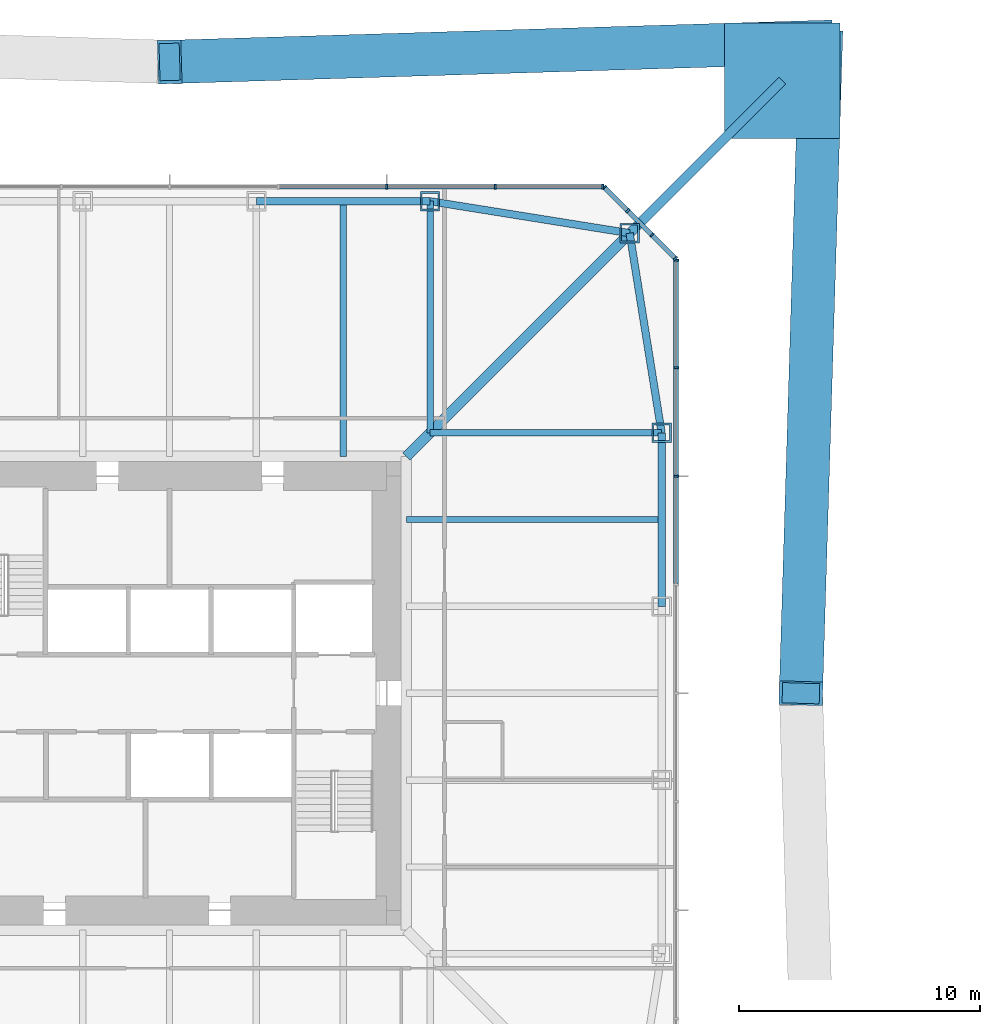
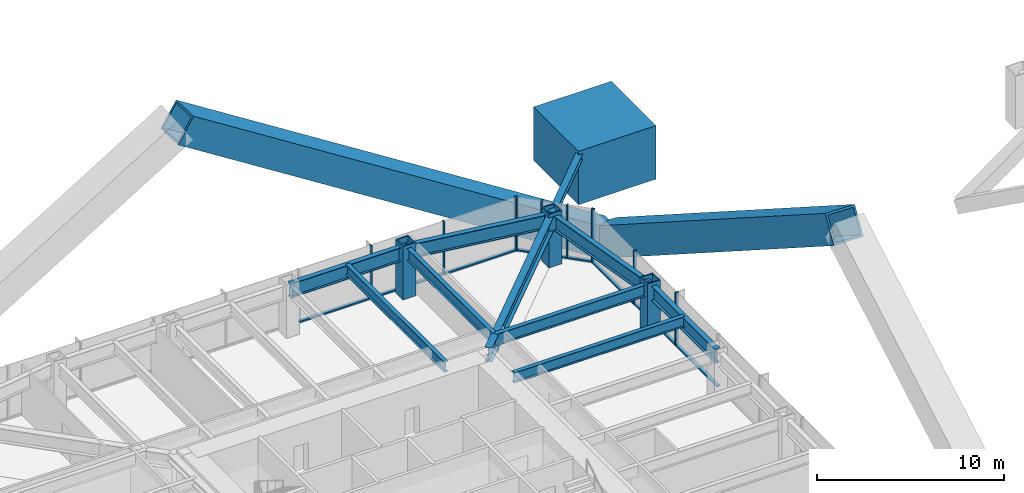
# One storey, part 6 of 21: 26 members, 9 beams, 3 elements without a shape of their own.
"""IFC4 building model written with IfcOpenShell, lengths in metres."""

from ifc_helpers import new_model, si_unit, direction, frame, origin, origin_2d, place, context, subcontext, project, spatial, rectangle, hollow_rectangle, i_section, extrude, material, material_profile, profile_set, type_object, element, aggregate, save


model = new_model("IFC4")

# Units and contexts
model_context = context("Model", 3, precision=1e-05, world=origin(), true_north=direction((0.0, 1.0)))
body_context = subcontext(model_context, "Body", "Model", "MODEL_VIEW")
ifc_project = project(units=[si_unit("LENGTHUNIT", "METRE"), si_unit("AREAUNIT", "SQUARE_METRE"), si_unit("VOLUMEUNIT", "CUBIC_METRE"), si_unit("PLANEANGLEUNIT", "RADIAN"), si_unit("MASSUNIT", "GRAM", prefix="KILO")], contexts=[model_context])

# Site, building, storey
site_placement = place(None, origin())
site = spatial("IfcSite", under=ifc_project, at=site_placement, CompositionType="ELEMENT")
building_placement = place(site_placement, origin())
building = spatial("IfcBuilding", under=site, at=building_placement, Name="Iwan Alto Co-Living Towers", CompositionType="ELEMENT")
storey_placement = place(building_placement, frame((0.0, 0.0, 80.5)))
storey = spatial("IfcBuildingStorey", under=building, at=storey_placement, Name="L21", CompositionType="ELEMENT", Elevation=80.5)

# Curtain wall, members
ifc_material_1 = material(Name="Bronze aluminium unitised frame", Category="aluminium")
curtain_wall_type_1 = type_object("IfcCurtainWallType", Name="CURTAIN WALL CW-A", PredefinedType="NOTDEFINED", material=ifc_material_1)
curtain_wall_1_placement = place(storey_placement, origin())
curtain_wall_1 = element("IfcCurtainWall", 1, at=curtain_wall_1_placement, inside=storey, type_object=curtain_wall_type_1, Name="T1 curtain wall E L21", PredefinedType="NOTDEFINED")
ifc_material_2 = material(Name="Aluminium 6063-T6 bronze anodised", Category="aluminium")
ifc_material_profile_1 = material_profile(ifc_material_2, rectangle(XDim=0.199951171875, YDim=0.080078125, at=origin_2d()), Name="AL 80X200")
ifc_profile_set_1 = profile_set([ifc_material_profile_1], Name="Aluminium 6063-T6 bronze anodised")
member_type_1 = type_object("IfcMemberType", Name="CW-A MULLION 80X200", PredefinedType="MULLION", material=ifc_profile_set_1)
member_1_placement = place(storey_placement, frame((21.0, 9.0, 0.0), z_axis=(0.0, 0.0, 1.0), x_axis=(-1.0, 0.0, 0.0)))
member_1 = element("IfcMember", 2, at=member_1_placement, type_object=member_type_1, Name="CW-A mullion 7", PredefinedType="MULLION", context=body_context, shape_type="SweptSolid", body=[
    extrude(rectangle(XDim=0.199951171875, YDim=0.080078125, at=origin_2d()), origin(), (0.0, 0.0, 1.0), 3.5),
])
member_2_placement = place(storey_placement, frame((21.0, 13.5, 0.0), z_axis=(0.0, 0.0, 1.0), x_axis=(-1.0, 0.0, 0.0)))
member_2 = element("IfcMember", 3, at=member_2_placement, type_object=member_type_1, Name="CW-A mullion 8", PredefinedType="MULLION", context=body_context, shape_type="SweptSolid", body=[
    extrude(rectangle(XDim=0.199951171875, YDim=0.080078125, at=origin_2d()), origin(), (0.0, 0.0, 1.0), 3.5),
])
member_3_placement = place(storey_placement, frame((21.0, 17.9599609375, 0.0), z_axis=(0.0, 0.0, 1.0), x_axis=(-1.0, 0.0, 0.0)))
member_3 = element("IfcMember", 4, at=member_3_placement, type_object=member_type_1, Name="CW-A mullion 9", PredefinedType="MULLION", context=body_context, shape_type="SweptSolid", body=[
    extrude(rectangle(XDim=0.199951171875, YDim=0.080078125, at=origin_2d()), origin(), (0.0, 0.0, 1.0), 3.5),
])

curtain_wall_2_placement = place(storey_placement, origin())
curtain_wall_2 = element("IfcCurtainWall", 5, at=curtain_wall_2_placement, inside=storey, type_object=curtain_wall_type_1, Name="T1 curtain wall N L21", PredefinedType="NOTDEFINED")
member_4_placement = place(storey_placement, frame((17.9599609375, 21.0, 0.0), z_axis=(0.0, 0.0, 1.0), x_axis=(0.0, -1.0, 0.0)))
member_4 = element("IfcMember", 6, at=member_4_placement, type_object=member_type_1, Name="CW-A mullion 1", PredefinedType="MULLION", context=body_context, shape_type="SweptSolid", body=[
    extrude(rectangle(XDim=0.199951171875, YDim=0.080078125, at=origin_2d()), origin(), (0.0, 0.0, 1.0), 3.5),
])
member_5_placement = place(storey_placement, frame((13.5, 21.0, 0.0), z_axis=(0.0, 0.0, 1.0), x_axis=(0.0, -1.0, 0.0)))
member_5 = element("IfcMember", 7, at=member_5_placement, type_object=member_type_1, Name="CW-A mullion 2", PredefinedType="MULLION", context=body_context, shape_type="SweptSolid", body=[
    extrude(rectangle(XDim=0.199951171875, YDim=0.080078125, at=origin_2d()), origin(), (0.0, 0.0, 1.0), 3.5),
])
member_6_placement = place(storey_placement, frame((9.0, 21.0, 0.0), z_axis=(0.0, 0.0, 1.0), x_axis=(0.0, -1.0, 0.0)))
member_6 = element("IfcMember", 8, at=member_6_placement, type_object=member_type_1, Name="CW-A mullion 3", PredefinedType="MULLION", context=body_context, shape_type="SweptSolid", body=[
    extrude(rectangle(XDim=0.199951171875, YDim=0.080078125, at=origin_2d()), origin(), (0.0, 0.0, 1.0), 3.5),
])

# Member
ifc_material_3 = material(Name="Aluminium 6063-T6 bronze anodised", Category="aluminium")
ifc_material_profile_2 = material_profile(ifc_material_3, rectangle(XDim=0.199951171875, YDim=0.10009765625, at=origin_2d()), Name="AL 200X100")
ifc_profile_set_2 = profile_set([ifc_material_profile_2], Name="Aluminium 6063-T6 bronze anodised")
member_type_2 = type_object("IfcMemberType", Name="CW-A TRANSOM 200X100", PredefinedType="USERDEFINED", material=ifc_profile_set_2)
member_7_placement = place(storey_placement, frame((21.0, 4.5400390625, 0.050048828125), z_axis=(0.0, 1.0, 0.0), x_axis=(-1.0, 0.0, 0.0)))
member_7 = element("IfcMember", 9, at=member_7_placement, type_object=member_type_2, Name="CW-A transom 6.1", ObjectType="TRANSOM", PredefinedType="USERDEFINED", context=body_context, shape_type="SweptSolid", body=[
    extrude(rectangle(XDim=0.199951171875, YDim=0.10009765625, at=origin_2d()), origin(), (0.0, 0.0, 1.0), 4.419921875),
])

member_8_placement = place(storey_placement, frame((21.0, 9.0400390625, 0.050048828125), z_axis=(0.0, 1.0, 0.0), x_axis=(-1.0, 0.0, 0.0)))
member_8 = element("IfcMember", 10, at=member_8_placement, type_object=member_type_2, Name="CW-A transom 7.1", ObjectType="TRANSOM", PredefinedType="USERDEFINED", context=body_context, shape_type="SweptSolid", body=[
    extrude(rectangle(XDim=0.199951171875, YDim=0.10009765625, at=origin_2d()), origin(), (0.0, 0.0, 1.0), 4.419921875),
])

member_9_placement = place(storey_placement, frame((21.0, 13.5400390625, 0.050048828125), z_axis=(0.0, 1.0, 0.0), x_axis=(-1.0, 0.0, 0.0)))
member_9 = element("IfcMember", 11, at=member_9_placement, type_object=member_type_2, Name="CW-A transom 8.1", ObjectType="TRANSOM", PredefinedType="USERDEFINED", context=body_context, shape_type="SweptSolid", body=[
    extrude(rectangle(XDim=0.199951171875, YDim=0.10009765625, at=origin_2d()), origin(), (0.0, 0.0, 1.0), 4.3798828125),
])

aggregate(curtain_wall_1, [member_1, member_2, member_3, member_7, member_8, member_9])

member_10_placement = place(storey_placement, frame((17.919921875, 21.0, 0.050048828125), z_axis=(-1.0, 0.0, 0.0), x_axis=(0.0, -1.0, 0.0)))
member_10 = element("IfcMember", 12, at=member_10_placement, type_object=member_type_2, Name="CW-A transom 1.1", ObjectType="TRANSOM", PredefinedType="USERDEFINED", context=body_context, shape_type="SweptSolid", body=[
    extrude(rectangle(XDim=0.199951171875, YDim=0.10009765625, at=origin_2d()), origin(), (0.0, 0.0, 1.0), 4.3798828125),
])

member_11_placement = place(storey_placement, frame((13.4599609375, 21.0, 0.050048828125), z_axis=(-1.0, 0.0, 0.0), x_axis=(0.0, -1.0, 0.0)))
member_11 = element("IfcMember", 13, at=member_11_placement, type_object=member_type_2, Name="CW-A transom 2.1", ObjectType="TRANSOM", PredefinedType="USERDEFINED", context=body_context, shape_type="SweptSolid", body=[
    extrude(rectangle(XDim=0.199951171875, YDim=0.10009765625, at=origin_2d()), origin(), (0.0, 0.0, 1.0), 4.419921875),
])

member_12_placement = place(storey_placement, frame((8.9599609375, 21.0, 0.050048828125), z_axis=(-1.0, 0.0, 0.0), x_axis=(0.0, -1.0, 0.0)))
member_12 = element("IfcMember", 14, at=member_12_placement, type_object=member_type_2, Name="CW-A transom 3.1", ObjectType="TRANSOM", PredefinedType="USERDEFINED", context=body_context, shape_type="SweptSolid", body=[
    extrude(rectangle(XDim=0.199951171875, YDim=0.10009765625, at=origin_2d()), origin(), (0.0, 0.0, 1.0), 4.419921875),
])

aggregate(curtain_wall_2, [member_4, member_5, member_6, member_10, member_11, member_12])

# Curtain wall, members
ifc_material_4 = material(Name="Bronze aluminium unitised frame", Category="aluminium")
curtain_wall_type_2 = type_object("IfcCurtainWallType", Name="CURTAIN WALL CW-B", PredefinedType="NOTDEFINED", material=ifc_material_4)
curtain_wall_3_placement = place(storey_placement, origin())
curtain_wall_3 = element("IfcCurtainWall", 15, at=curtain_wall_3_placement, inside=storey, type_object=curtain_wall_type_2, Name="T1 chamfer curtain wall NE L21", PredefinedType="NOTDEFINED")
ifc_material_5 = material(Name="Aluminium 6063-T6 bronze anodised", Category="aluminium")
ifc_material_profile_3 = material_profile(ifc_material_5, rectangle(XDim=0.199951171875, YDim=0.080078125, at=origin_2d()), Name="AL 80X200")
ifc_profile_set_3 = profile_set([ifc_material_profile_3], Name="Aluminium 6063-T6 bronze anodised")
member_type_3 = type_object("IfcMemberType", Name="CW-B MULLION 80X200", PredefinedType="MULLION", material=ifc_profile_set_3)
member_13_placement = place(storey_placement, frame((20.9716796875, 18.0283203125, 0.0), z_axis=(0.0, 0.0, 1.0), x_axis=(-0.707106781187, -0.707106781187, 0.0)))
member_13 = element("IfcMember", 16, at=member_13_placement, type_object=member_type_3, Name="CW-B mullion 1", PredefinedType="MULLION", context=body_context, shape_type="SweptSolid", body=[
    extrude(rectangle(XDim=0.199951171875, YDim=0.080078125, at=origin_2d()), origin(), (0.0, 0.0, 1.0), 3.5),
])
member_14_placement = place(storey_placement, frame((20.0, 19.0, 0.0), z_axis=(0.0, 0.0, 1.0), x_axis=(-0.707106781187, -0.707106781187, 0.0)))
member_14 = element("IfcMember", 17, at=member_14_placement, type_object=member_type_3, Name="CW-B mullion 2", PredefinedType="MULLION", context=body_context, shape_type="SweptSolid", body=[
    extrude(rectangle(XDim=0.199951171875, YDim=0.080078125, at=origin_2d()), origin(), (0.0, 0.0, 1.0), 3.5),
])
member_15_placement = place(storey_placement, frame((19.0, 20.0, 0.0), z_axis=(0.0, 0.0, 1.0), x_axis=(-0.707106781187, -0.707106781187, 0.0)))
member_15 = element("IfcMember", 18, at=member_15_placement, type_object=member_type_3, Name="CW-B mullion 3", PredefinedType="MULLION", context=body_context, shape_type="SweptSolid", body=[
    extrude(rectangle(XDim=0.199951171875, YDim=0.080078125, at=origin_2d()), origin(), (0.0, 0.0, 1.0), 3.5),
])
member_16_placement = place(storey_placement, frame((18.0283203125, 20.9716796875, 0.0), z_axis=(0.0, 0.0, 1.0), x_axis=(-0.707106781187, -0.707106781187, 0.0)))
member_16 = element("IfcMember", 19, at=member_16_placement, type_object=member_type_3, Name="CW-B mullion 4", PredefinedType="MULLION", context=body_context, shape_type="SweptSolid", body=[
    extrude(rectangle(XDim=0.199951171875, YDim=0.080078125, at=origin_2d()), origin(), (0.0, 0.0, 1.0), 3.5),
])
ifc_material_6 = material(Name="Aluminium 6063-T6 bronze anodised", Category="aluminium")
ifc_material_profile_4 = material_profile(ifc_material_6, rectangle(XDim=0.199951171875, YDim=0.10009765625, at=origin_2d()), Name="AL 200X100")
ifc_profile_set_4 = profile_set([ifc_material_profile_4], Name="Aluminium 6063-T6 bronze anodised")
member_type_4 = type_object("IfcMemberType", Name="CW-B TRANSOM 200X100", PredefinedType="USERDEFINED", material=ifc_profile_set_4)
member_17_placement = place(storey_placement, frame((20.943359375, 18.056640625, 0.050048828125), z_axis=(-0.707106781187, 0.707106781187, 0.0), x_axis=(-0.707106781187, -0.707106781187, 0.0)))
member_17 = element("IfcMember", 20, at=member_17_placement, type_object=member_type_4, Name="CW-B transom 1.1", ObjectType="TRANSOM", PredefinedType="USERDEFINED", context=body_context, shape_type="SweptSolid", body=[
    extrude(rectangle(XDim=0.199951171875, YDim=0.10009765625, at=origin_2d()), origin(), (0.0, 0.0, 1.0), 1.2939453125),
])
member_18_placement = place(storey_placement, frame((19.9716796875, 19.0283203125, 0.050048828125), z_axis=(-0.707106781187, 0.707106781187, 0.0), x_axis=(-0.707106781187, -0.707106781187, 0.0)))
member_18 = element("IfcMember", 21, at=member_18_placement, type_object=member_type_4, Name="CW-B transom 2.1", ObjectType="TRANSOM", PredefinedType="USERDEFINED", context=body_context, shape_type="SweptSolid", body=[
    extrude(rectangle(XDim=0.199951171875, YDim=0.10009765625, at=origin_2d()), origin(), (0.0, 0.0, 1.0), 1.334228515625),
])
member_19_placement = place(storey_placement, frame((18.9716796875, 20.0283203125, 0.050048828125), z_axis=(-0.707106781187, 0.707106781187, 0.0), x_axis=(-0.707106781187, -0.707106781187, 0.0)))
member_19 = element("IfcMember", 22, at=member_19_placement, type_object=member_type_4, Name="CW-B transom 3.1", ObjectType="TRANSOM", PredefinedType="USERDEFINED", context=body_context, shape_type="SweptSolid", body=[
    extrude(rectangle(XDim=0.199951171875, YDim=0.10009765625, at=origin_2d()), origin(), (0.0, 0.0, 1.0), 1.2939453125),
])
aggregate(curtain_wall_3, [member_13, member_14, member_15, member_16, member_17, member_18, member_19])

# Beams
ifc_material_7 = material(Name="Steel ASTM A992 Gr 50", Category="steel")
ifc_material_profile_5 = material_profile(ifc_material_7, i_section(OverallWidth=0.419189453125, OverallDepth=0.927001953125, WebThickness=0.019287109375, FlangeThickness=0.031982421875, at=origin_2d()), Name="W36X231")
ifc_profile_set_5 = profile_set([ifc_material_profile_5], Name="Steel ASTM A992 Gr 50")
beam_type_1 = type_object("IfcBeamType", Name="T1 CORNER GIRDER W36X231", PredefinedType="BEAM", material=ifc_profile_set_5)
beam_1_placement = place(storey_placement, frame((19.07568359375, 19.07568359375, 2.806396484375), z_axis=(-0.707106781187, -0.707106781187, 0.0), x_axis=(0.707106781187, -0.707106781187, 0.0)))
element("IfcBeam", 23, at=beam_1_placement, inside=storey, type_object=beam_type_1, Name="T1 corner girder CNE L22", PredefinedType="BEAM", context=body_context, shape_type="SweptSolid", body=[
    extrude(i_section(OverallWidth=0.419189453125, OverallDepth=0.927001953125, WebThickness=0.019287109375, FlangeThickness=0.031982421875, at=origin_2d()), origin(), (0.0, 0.0, 1.0), 13.091796875),
])
ifc_material_8 = material(Name="Steel ASTM A992 Gr 50", Category="steel")
ifc_material_profile_6 = material_profile(ifc_material_8, i_section(OverallWidth=0.307373046875, OverallDepth=0.927001953125, WebThickness=0.01953125, FlangeThickness=0.031982421875, at=origin_2d()), Name="W36X194")
ifc_profile_set_6 = profile_set([ifc_material_profile_6], Name="Steel ASTM A992 Gr 50")
beam_type_2 = type_object("IfcBeamType", Name="T1 EDGE BEAM W36X194", PredefinedType="BEAM", material=ifc_profile_set_6)
beam_2_placement = place(storey_placement, frame((20.39990234375, 3.60009765625, 2.806396484375), z_axis=(0.0, 1.0, 0.0), x_axis=(-1.0, 0.0, 0.0)))
element("IfcBeam", 24, at=beam_2_placement, inside=storey, type_object=beam_type_2, Name="T1 edge beam E3 L22", PredefinedType="BEAM", context=body_context, shape_type="SweptSolid", body=[
    extrude(i_section(OverallWidth=0.307373046875, OverallDepth=0.927001953125, WebThickness=0.01953125, FlangeThickness=0.031982421875, at=origin_2d()), origin(), (0.0, 0.0, 1.0), 7.199951171875),
])
for number, where, z_axis, x_axis, name in (
    (25, (20.39990234375, 10.800048828125, 2.806396484375), (-0.158004134737, 0.987438450439, 0.0), (-0.987438450439, -0.158004134737, 0.0), "T1 edge beam E4 L22"),
    (26, (19.07568359375, 19.07568359375, 2.806396484375), (-0.987438450439, 0.158004134737, 0.0), (-0.158004134737, -0.987438450439, 0.0), "T1 edge beam CNE L22"),
):
    element("IfcBeam", number, at=place(storey_placement, frame(where, z_axis=z_axis, x_axis=x_axis)), inside=storey, type_object=beam_type_2, Name=name, PredefinedType="BEAM", context=body_context, shape_type="SweptSolid", body=[
        extrude(i_section(OverallWidth=0.307373046875, OverallDepth=0.927001953125, WebThickness=0.01953125, FlangeThickness=0.031982421875, at=origin_2d()), origin(), (0.0, 0.0, 1.0), 8.380859375),
    ])
beam_3_placement = place(storey_placement, frame((10.800048828125, 20.39990234375, 2.806396484375), z_axis=(-1.0, 0.0, 0.0), x_axis=(0.0, -1.0, 0.0)))
element("IfcBeam", 27, at=beam_3_placement, inside=storey, type_object=beam_type_2, Name="T1 edge beam N1 L22", PredefinedType="BEAM", context=body_context, shape_type="SweptSolid", body=[
    extrude(i_section(OverallWidth=0.307373046875, OverallDepth=0.927001953125, WebThickness=0.01953125, FlangeThickness=0.031982421875, at=origin_2d()), origin(), (0.0, 0.0, 1.0), 7.199951171875),
])

# Members
ifc_material_9 = material(Name="Steel ASTM A572 Gr 42", Category="steel")
ifc_material_profile_7 = material_profile(ifc_material_9, hollow_rectangle(XDim=1.800048828125, YDim=1.800048828125, WallThickness=0.1298828125, at=origin_2d()), Name="BOX 1800X1800X130")
ifc_profile_set_7 = profile_set([ifc_material_profile_7], Name="Steel ASTM A572 Gr 42")
member_type_5 = type_object("IfcMemberType", Name="T1 MEGA BRACE BOX 1800X1800X130", PredefinedType="BRACE", material=ifc_profile_set_7)
for number, where, z_axis, x_axis, name in (
    (28, (27.0, 27.0, -6.0), (-0.0256074434, -0.8386077526, 0.544133527842), (0.999534112434, -0.03052143643, 0.0), "T1 mega brace Z2A E 2 lower"),
    (29, (27.0, 27.0, -6.0), (-0.8386077526, -0.0256074434, 0.544133527842), (0.03052143643, -0.999534112434, 0.0), "T1 mega brace Z2A N 1 lower"),
):
    element("IfcMember", number, at=place(storey_placement, frame(where, z_axis=z_axis, x_axis=x_axis)), inside=storey, type_object=member_type_5, Name=name, PredefinedType="BRACE", context=body_context, shape_type="SweptSolid", body=[
        extrude(hollow_rectangle(XDim=1.800048828125, YDim=1.800048828125, WallThickness=0.1298828125, at=origin_2d()), origin(), (0.0, 0.0, 1.0), 32.1962890625),
    ])
ifc_material_10 = material(Name="Steel ASTM A992 Gr 50", Category="steel")
ifc_material_profile_8 = material_profile(ifc_material_10, i_section(OverallWidth=0.393798828125, OverallDepth=0.3759765625, WebThickness=0.017333984375, FlangeThickness=0.027587890625, at=origin_2d()), Name="W14X145")
ifc_profile_set_8 = profile_set([ifc_material_profile_8], Name="Steel ASTM A992 Gr 50")
member_type_6 = type_object("IfcMemberType", Name="T1 MEGA COLUMN FLOOR TIE W14X145", PredefinedType="STRUT", material=ifc_profile_set_8)
member_20_placement = place(storey_placement, frame((25.39990234375, 25.39990234375, 3.08203125), z_axis=(-0.707106781187, -0.707106781187, 0.0), x_axis=(0.707106781187, -0.707106781187, 0.0)))
element("IfcMember", 30, at=member_20_placement, inside=storey, type_object=member_type_6, Name="T1 mega column floor tie NE L22", PredefinedType="STRUT", context=body_context, shape_type="SweptSolid", body=[
    extrude(i_section(OverallWidth=0.393798828125, OverallDepth=0.3759765625, WebThickness=0.017333984375, FlangeThickness=0.027587890625, at=origin_2d()), origin(), (0.0, 0.0, 1.0), 8.94384765625),
])
ifc_material_11 = material(Name="Concrete f'c 70 MPa", Category="concrete")
ifc_material_profile_9 = material_profile(ifc_material_11, rectangle(XDim=4.800048828125, YDim=4.800048828125, at=origin_2d()), Name="RC 4800X4800")
ifc_profile_set_9 = profile_set([ifc_material_profile_9], Name="Concrete f'c 70 MPa")
member_type_7 = type_object("IfcMemberType", Name="T1 MEGA POST AT STEP RC 4800X4800", PredefinedType="MEMBER", material=ifc_profile_set_9)
member_21_placement = place(storey_placement, frame((25.39990234375, 25.39990234375, 0.0), z_axis=(0.0, 0.0, 1.0), x_axis=(1.0, 0.0, 0.0)))
element("IfcMember", 31, at=member_21_placement, inside=storey, type_object=member_type_7, Name="T1 mega post at step NE L21", PredefinedType="MEMBER", context=body_context, shape_type="SweptSolid", body=[
    extrude(rectangle(XDim=4.800048828125, YDim=4.800048828125, at=origin_2d()), origin(), (0.0, 0.0, 1.0), 3.5),
    extrude(i_section(OverallWidth=0.4775390625, OverallDepth=0.599365234375, WebThickness=0.10009765625, FlangeThickness=0.139892578125, at=origin_2d()), origin(), (0.0, 0.0, 1.0), 3.5),
])

# Beams
ifc_material_12 = material(Name="Steel ASTM A992 Gr 50", Category="steel")
ifc_material_profile_10 = material_profile(ifc_material_12, i_section(OverallWidth=0.2666015625, OverallDepth=0.761962890625, WebThickness=0.014404296875, FlangeThickness=0.021484375, at=origin_2d()), Name="W30X116")
ifc_profile_set_10 = profile_set([ifc_material_profile_10], Name="Steel ASTM A992 Gr 50")
beam_type_3 = type_object("IfcBeamType", Name="T1 RADIAL BEAM W30X116", PredefinedType="BEAM", material=ifc_profile_set_10)
for number, where, z_axis, x_axis, name in (
    (32, (20.39990234375, 10.800048828125, 2.888916015625), (-1.0, 0.0, 0.0), (0.0, -1.0, 0.0), "T1 radial beam E4 L22"),
    (33, (10.800048828125, 20.39990234375, 2.888916015625), (0.0, -1.0, 0.0), (1.0, 0.0, 0.0), "T1 radial beam N1 L22"),
):
    element("IfcBeam", number, at=place(storey_placement, frame(where, z_axis=z_axis, x_axis=x_axis)), inside=storey, type_object=beam_type_3, Name=name, PredefinedType="BEAM", context=body_context, shape_type="SweptSolid", body=[
        extrude(i_section(OverallWidth=0.2666015625, OverallDepth=0.761962890625, WebThickness=0.014404296875, FlangeThickness=0.021484375, at=origin_2d()), origin(), (0.0, 0.0, 1.0), 9.599853515625),
    ])

# Members
ifc_material_13 = material(Name="Steel ASTM A572 Gr 50", Category="steel")
ifc_material_profile_11 = material_profile(ifc_material_13, hollow_rectangle(XDim=0.800048828125, YDim=0.800048828125, WallThickness=0.070068359375, at=origin_2d()), Name="BOX 800X800X70")
ifc_profile_set_11 = profile_set([ifc_material_profile_11], Name="Steel ASTM A572 Gr 50")
member_type_8 = type_object("IfcMemberType", Name="T1 RING POST AT STEP BOX 800X800X70", PredefinedType="MEMBER", material=ifc_profile_set_11)
for number, where, z_axis, x_axis, name in (
    (34, (20.39990234375, 10.800048828125, 0.0), (0.0, 0.0, 1.0), (1.0, 0.0, 0.0), "T1 ring post at step E4 L21"),
    (35, (19.07568359375, 19.07568359375, 0.0), (0.0, 0.0, 1.0), (1.0, 0.0, 0.0), "T1 ring post at step CNE L21"),
    (36, (10.800048828125, 20.39990234375, 0.0), (0.0, 0.0, 1.0), (1.0, 0.0, 0.0), "T1 ring post at step N1 L21"),
):
    element("IfcMember", number, at=place(storey_placement, frame(where, z_axis=z_axis, x_axis=x_axis)), inside=storey, type_object=member_type_8, Name=name, PredefinedType="MEMBER", context=body_context, shape_type="SweptSolid", body=[
        extrude(hollow_rectangle(XDim=0.800048828125, YDim=0.800048828125, WallThickness=0.070068359375, at=origin_2d()), origin(), (0.0, 0.0, 1.0), 3.5),
    ])

# Beams
ifc_material_14 = material(Name="Steel ASTM A992 Gr 50", Category="steel")
ifc_material_profile_12 = material_profile(ifc_material_14, i_section(OverallWidth=0.25390625, OverallDepth=0.683349609375, WebThickness=0.012451171875, FlangeThickness=0.018798828125, at=origin_2d()), Name="W27X94")
ifc_profile_set_12 = profile_set([ifc_material_profile_12], Name="Steel ASTM A992 Gr 50")
beam_type_4 = type_object("IfcBeamType", Name="T1 SECONDARY BEAM W27X94", PredefinedType="JOIST", material=ifc_profile_set_12)
for number, where, z_axis, x_axis, name in (
    (37, (20.39990234375, 7.199951171875, 2.928466796875), (-1.0, 0.0, 0.0), (0.0, -1.0, 0.0), "T1 secondary beam E3 L22"),
    (38, (7.199951171875, 20.39990234375, 2.928466796875), (0.0, -1.0, 0.0), (1.0, 0.0, 0.0), "T1 secondary beam N1 L22"),
):
    element("IfcBeam", number, at=place(storey_placement, frame(where, z_axis=z_axis, x_axis=x_axis)), inside=storey, type_object=beam_type_4, Name=name, PredefinedType="JOIST", context=body_context, shape_type="SweptSolid", body=[
        extrude(i_section(OverallWidth=0.25390625, OverallDepth=0.683349609375, WebThickness=0.012451171875, FlangeThickness=0.018798828125, at=origin_2d()), origin(), (0.0, 0.0, 1.0), 10.58154296875),
    ])

save(model, "model.ifc")
